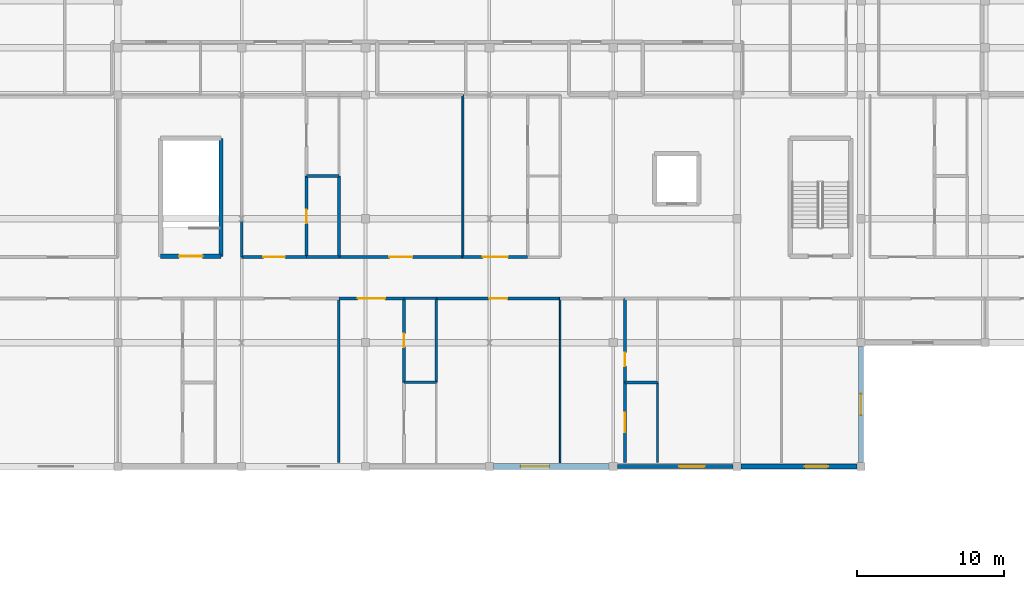
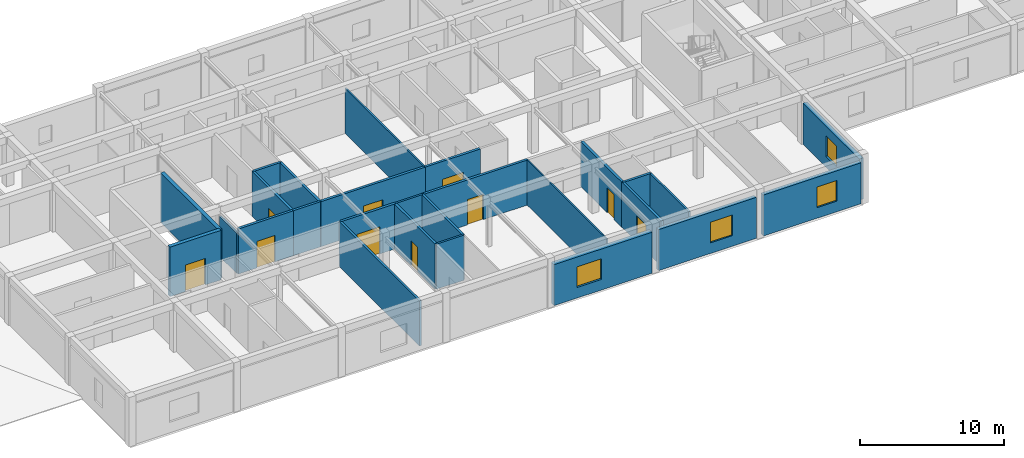
# One storey, part 19 of 42: 27 walls, 10 doors, 4 windows, 14 openings.
"""IFC4 building model written with IfcOpenShell, lengths in metres."""

from ifc_helpers import new_model, si_unit, direction, frame, frame_2d, origin, place, context, subcontext, project, spatial, rectangle, extrude, material, layer, layer_set, type_object, element, fill, save


model = new_model("IFC4")

# Units and contexts
model_context = context("Model", 3, precision=1e-05, world=origin(), true_north=direction((0.0, 1.0)))
body_context = subcontext(model_context, "Body", "Model", "MODEL_VIEW")
ifc_project = project(units=[si_unit("LENGTHUNIT", "METRE"), si_unit("AREAUNIT", "SQUARE_METRE"), si_unit("VOLUMEUNIT", "CUBIC_METRE"), si_unit("PLANEANGLEUNIT", "RADIAN"), si_unit("MASSUNIT", "GRAM", prefix="KILO")], contexts=[model_context])

# Site, building, storey
site_placement = place(None, origin())
site = spatial("IfcSite", under=ifc_project, at=site_placement, CompositionType="ELEMENT")
building_placement = place(site_placement, origin())
building = spatial("IfcBuilding", under=site, at=building_placement, Name="Varncliffe General Hospital", CompositionType="ELEMENT")
storey_placement = place(building_placement, frame((0.0, 0.0, 20.39990234375)))
storey = spatial("IfcBuildingStorey", under=building, at=storey_placement, Name="L04", CompositionType="ELEMENT", Elevation=20.39990234375)

# Wall, opening, window
ifc_material_1 = material(Name="Precast concrete C40/50 with insulated cream lime-cement stucco", Category="concrete")
ifc_layer_1 = layer(ifc_material_1, 0.31005859375)
ifc_layer_set_1 = layer_set([ifc_layer_1], Name="Precast concrete C40/50 with insulated cream lime-cement stucco")
wall_type_1 = type_object("IfcWallType", Name="Exterior Insulated Stucco Wall EW20 (310mm)", PredefinedType="SOLIDWALL", material=ifc_layer_set_1)
wall_1_placement = place(storey_placement, frame((117.326904296875, 74.39990234375, 0.0), z_axis=(0.0, 0.0, 1.0), x_axis=(-1.0, 0.0, 0.0)))
wall_1 = element("IfcWall", 1, at=wall_1_placement, inside=storey, type_object=wall_type_1, Name="L04 Exterior Stucco Wall EW20-321", PredefinedType="SOLIDWALL", context=body_context, shape_type="SweptSolid", body=[
    extrude(rectangle(XDim=7.85400390625, YDim=0.31005859375, at=frame_2d((3.927001953125, 0.0))), origin(), (0.0, 0.0, 1.0), 3.47998046875),
])
opening_1_placement = place(wall_1_placement, frame((1.94921875, 0.0, 0.89990234375)))
opening_1 = element("IfcOpeningElement", 2, at=opening_1_placement, cuts=wall_1, Name="Opening WN87", PredefinedType="OPENING", context=body_context, shape_type="SweptSolid", body=[
    extrude(rectangle(XDim=1.60009765625, YDim=1.75, at=frame_2d((0.800048828125, 0.875))), frame((0.0, 0.1650390625, 0.0), z_axis=(0.0, -1.0, 0.0), x_axis=(1.0, 0.0, 0.0)), (0.0, 0.0, 1.0), 0.330078125),
])
ifc_material_2 = material(Name="Triple low-E argon insulated vision glazing", Category="glass")
window_type_1 = type_object("IfcWindowType", Name="Triple-Glazed Hospital Window WN87 (1600x1750)", PartitioningType="DOUBLE_PANEL_VERTICAL", PredefinedType="WINDOW", material=ifc_material_2)
window_1_placement = place(opening_1_placement, origin())
window_1 = element("IfcWindow", 3, at=window_1_placement, inside=storey, type_object=window_type_1, Name="L04 Hospital Window WN87-239", OverallHeight=1.75, OverallWidth=1.60009765625, PartitioningType="DOUBLE_PANEL_VERTICAL", PredefinedType="WINDOW", context=body_context, shape_type="SweptSolid", body=[
    extrude(rectangle(XDim=1.60009765625, YDim=1.75, at=frame_2d((0.800048828125, 0.875))), frame((0.0, 0.030029296875, 0.0), z_axis=(0.0, -1.0, 0.0), x_axis=(1.0, 0.0, 0.0)), (0.0, 0.0, 1.0), 0.06005859375),
])
fill(opening_1, window_1)

ifc_layer_2 = layer(ifc_material_1, 0.3798828125)
ifc_layer_set_2 = layer_set([ifc_layer_2], Name="Precast concrete C40/50 with insulated cream lime-cement stucco")
wall_type_2 = type_object("IfcWallType", Name="Exterior Insulated Stucco Wall EW26 (380mm)", PredefinedType="SOLIDWALL", material=ifc_layer_set_2)
wall_2_placement = place(storey_placement, frame((100.527099609375, 74.39990234375, 0.0), z_axis=(0.0, 0.0, 1.0), x_axis=(-1.0, 0.0, 0.0)))
wall_2 = element("IfcWall", 4, at=wall_2_placement, inside=storey, type_object=wall_type_2, Name="L04 Exterior Stucco Wall EW26-323", PredefinedType="SOLIDWALL", context=body_context, shape_type="SweptSolid", body=[
    extrude(rectangle(XDim=7.85400390625, YDim=0.3798828125, at=frame_2d((3.927001953125, 0.0))), origin(), (0.0, 0.0, 1.0), 3.47998046875),
])
opening_2_placement = place(wall_2_placement, frame((4.052978515625, 0.0, 0.89990234375)))
opening_2 = element("IfcOpeningElement", 5, at=opening_2_placement, cuts=wall_2, Name="Opening WN71", PredefinedType="OPENING", context=body_context, shape_type="SweptSolid", body=[
    extrude(rectangle(XDim=1.949951171875, YDim=1.75, at=frame_2d((0.97509765625, 0.875))), frame((0.0, 0.199951171875, 0.0), z_axis=(0.0, -1.0, 0.0), x_axis=(1.0, 0.0, 0.0)), (0.0, 0.0, 1.0), 0.39990234375),
])
window_type_2 = type_object("IfcWindowType", Name="Triple-Glazed Hospital Window WN71 (1950x1750)", PartitioningType="DOUBLE_PANEL_VERTICAL", PredefinedType="WINDOW", material=ifc_material_2)
window_2_placement = place(opening_2_placement, origin())
window_2 = element("IfcWindow", 6, at=window_2_placement, inside=storey, type_object=window_type_2, Name="L04 Hospital Window WN71-241", OverallHeight=1.75, OverallWidth=1.949951171875, PartitioningType="DOUBLE_PANEL_VERTICAL", PredefinedType="WINDOW", context=body_context, shape_type="SweptSolid", body=[
    extrude(rectangle(XDim=1.949951171875, YDim=1.75, at=frame_2d((0.97509765625, 0.875))), frame((0.0, 0.030029296875, 0.0), z_axis=(0.0, -1.0, 0.0), x_axis=(1.0, 0.0, 0.0)), (0.0, 0.0, 1.0), 0.06005859375),
])
fill(opening_2, window_2)

ifc_layer_3 = layer(ifc_material_1, 0.2900390625)
ifc_layer_set_3 = layer_set([ifc_layer_3], Name="Precast concrete C40/50 with insulated cream lime-cement stucco")
wall_type_3 = type_object("IfcWallType", Name="Exterior Insulated Stucco Wall EW31 (290mm)", PredefinedType="SOLIDWALL", material=ifc_layer_set_3)
wall_3_placement = place(storey_placement, frame((108.927001953125, 74.39990234375, 0.0), z_axis=(0.0, 0.0, 1.0), x_axis=(-1.0, 0.0, 0.0)))
wall_3 = element("IfcWall", 7, at=wall_3_placement, inside=storey, type_object=wall_type_3, Name="L04 Exterior Stucco Wall EW31-322", PredefinedType="SOLIDWALL", context=body_context, shape_type="SweptSolid", body=[
    extrude(rectangle(XDim=7.85400390625, YDim=0.2900390625, at=frame_2d((3.927001953125, 0.0))), origin(), (0.0, 0.0, 1.0), 3.47998046875),
])
opening_3_placement = place(wall_3_placement, frame((1.906982421875, 0.0, 0.89990234375)))
opening_3 = element("IfcOpeningElement", 8, at=opening_3_placement, cuts=wall_3, Name="Opening WN82", PredefinedType="OPENING", context=body_context, shape_type="SweptSolid", body=[
    extrude(rectangle(XDim=1.75, YDim=1.75, at=frame_2d((0.875, 0.875))), frame((0.0, 0.155029296875, 0.0), z_axis=(0.0, -1.0, 0.0), x_axis=(1.0, 0.0, 0.0)), (0.0, 0.0, 1.0), 0.31005859375),
])
window_type_3 = type_object("IfcWindowType", Name="Triple-Glazed Hospital Window WN82 (1750x1750)", PartitioningType="DOUBLE_PANEL_VERTICAL", PredefinedType="WINDOW", material=ifc_material_2)
window_3_placement = place(opening_3_placement, origin())
window_3 = element("IfcWindow", 9, at=window_3_placement, inside=storey, type_object=window_type_3, Name="L04 Hospital Window WN82-240", OverallHeight=1.75, OverallWidth=1.75, PartitioningType="DOUBLE_PANEL_VERTICAL", PredefinedType="WINDOW", context=body_context, shape_type="SweptSolid", body=[
    extrude(rectangle(XDim=1.75, YDim=1.75, at=frame_2d((0.875, 0.875))), frame((0.0, 0.030029296875, 0.0), z_axis=(0.0, -1.0, 0.0), x_axis=(1.0, 0.0, 0.0)), (0.0, 0.0, 1.0), 0.06005859375),
])
fill(opening_3, window_3)

ifc_layer_4 = layer(ifc_material_1, 0.330078125)
ifc_layer_set_4 = layer_set([ifc_layer_4], Name="Precast concrete C40/50 with insulated cream lime-cement stucco")
wall_type_4 = type_object("IfcWallType", Name="Exterior Insulated Stucco Wall EW33 (330mm)", PredefinedType="SOLIDWALL", material=ifc_layer_set_4)
wall_4_placement = place(storey_placement, frame((117.60009765625, 82.527099609375, 0.0), z_axis=(0.0, 0.0, 1.0), x_axis=(0.0, -1.0, 0.0)))
wall_4 = element("IfcWall", 10, at=wall_4_placement, inside=storey, type_object=wall_type_4, Name="L04 Exterior Stucco Wall EW33-320", PredefinedType="SOLIDWALL", context=body_context, shape_type="SweptSolid", body=[
    extrude(rectangle(XDim=7.85400390625, YDim=0.330078125, at=frame_2d((3.927001953125, 0.0))), origin(), (0.0, 0.0, 1.0), 3.47998046875),
])
opening_4_placement = place(wall_4_placement, frame((3.201904296875, 0.0, 0.89990234375)))
opening_4 = element("IfcOpeningElement", 11, at=opening_4_placement, cuts=wall_4, Name="Opening WN88", PredefinedType="OPENING", context=body_context, shape_type="SweptSolid", body=[
    extrude(rectangle(XDim=1.449951171875, YDim=1.75, at=frame_2d((0.72509765625, 0.875))), frame((0.0, 0.175048828125, 0.0), z_axis=(0.0, -1.0, 0.0), x_axis=(1.0, 0.0, 0.0)), (0.0, 0.0, 1.0), 0.35009765625),
])
window_type_4 = type_object("IfcWindowType", Name="Triple-Glazed Hospital Window WN88 (1450x1750)", PartitioningType="SINGLE_PANEL", PredefinedType="WINDOW", material=ifc_material_2)
window_4_placement = place(opening_4_placement, origin())
window_4 = element("IfcWindow", 12, at=window_4_placement, inside=storey, type_object=window_type_4, Name="L04 Hospital Window WN88-238", OverallHeight=1.75, OverallWidth=1.449951171875, PartitioningType="SINGLE_PANEL", PredefinedType="WINDOW", context=body_context, shape_type="SweptSolid", body=[
    extrude(rectangle(XDim=1.449951171875, YDim=1.75, at=frame_2d((0.72509765625, 0.875))), frame((0.0, 0.030029296875, 0.0), z_axis=(0.0, -1.0, 0.0), x_axis=(1.0, 0.0, 0.0)), (0.0, 0.0, 1.0), 0.06005859375),
])
fill(opening_4, window_4)

# Walls
ifc_material_3 = material(Name="Acoustic clinical gypsum stud partition assembly", Category="gypsum")
ifc_layer_5 = layer(ifc_material_3, 0.1298828125)
ifc_layer_set_5 = layer_set([ifc_layer_5], Name="Acoustic clinical gypsum stud partition assembly")
wall_type_5 = type_object("IfcWallType", Name="Interior Partitioning IW11 (130mm)", PredefinedType="PARTITIONING", material=ifc_layer_set_5)
wall_5_placement = place(storey_placement, frame((90.60009765625, 88.60009765625, 0.0), z_axis=(0.0, 0.0, 1.0), x_axis=(0.0, 1.0, 0.0)))
element("IfcWall", 13, at=wall_5_placement, inside=storey, type_object=wall_type_5, Name="L04 Interior Partition Wall IW11-1903", PredefinedType="PARTITIONING", context=body_context, shape_type="SweptSolid", body=[
    extrude(rectangle(XDim=11.0, YDim=0.1298828125, at=frame_2d((5.5, 0.0))), origin(), (0.0, 0.0, 1.0), 3.820068359375),
])
ifc_layer_6 = layer(ifc_material_3, 0.169921875)
ifc_layer_set_6 = layer_set([ifc_layer_6], Name="Acoustic clinical gypsum stud partition assembly")
wall_type_6 = type_object("IfcWallType", Name="Interior Partitioning IW20 (170mm)", PredefinedType="PARTITIONING", material=ifc_layer_set_6)
wall_6_placement = place(storey_placement, frame((75.60009765625, 88.60009765625, 0.0), z_axis=(0.0, 0.0, 1.0), x_axis=(0.0, 1.0, 0.0)))
element("IfcWall", 14, at=wall_6_placement, inside=storey, type_object=wall_type_6, Name="L04 Interior Partition Wall IW20-1891", PredefinedType="PARTITIONING", context=body_context, shape_type="SweptSolid", body=[
    extrude(rectangle(XDim=2.430908203125, YDim=0.169921875, at=frame_2d((1.21533203125, 0.0))), origin(), (0.0, 0.0, 1.0), 3.412109375),
])
wall_7_placement = place(storey_placement, frame((82.199951171875, 74.659912109375, 0.0), z_axis=(0.0, 0.0, 1.0), x_axis=(0.0, 1.0, 0.0)))
element("IfcWall", 15, at=wall_7_placement, inside=storey, type_object=wall_type_6, Name="L04 Interior Partition Wall IW20-1895", PredefinedType="PARTITIONING", context=body_context, shape_type="SweptSolid", body=[
    extrude(rectangle(XDim=11.14013671875, YDim=0.169921875, at=frame_2d((5.570068359375, 0.0))), origin(), (0.0, 0.0, 1.0), 3.820068359375),
])
ifc_layer_7 = layer(ifc_material_3, 0.14990234375)
ifc_layer_set_7 = layer_set([ifc_layer_7], Name="Acoustic clinical gypsum stud partition assembly")
wall_type_7 = type_object("IfcWallType", Name="Interior Partitioning IW35 (150mm)", PredefinedType="PARTITIONING", material=ifc_layer_set_7)
wall_8_placement = place(storey_placement, frame((103.800048828125, 74.659912109375, 0.0), z_axis=(0.0, 0.0, 1.0), x_axis=(0.0, 1.0, 0.0)))
element("IfcWall", 16, at=wall_8_placement, inside=storey, type_object=wall_type_7, Name="L04 Interior Partition Wall IW35-1914", PredefinedType="PARTITIONING", context=body_context, shape_type="SweptSolid", body=[
    extrude(rectangle(XDim=5.440185546875, YDim=0.14990234375, at=frame_2d((2.72021484375, 0.0))), origin(), (0.0, 0.0, 1.0), 3.820068359375),
])
ifc_layer_8 = layer(ifc_material_3, 0.110107421875)
ifc_layer_set_8 = layer_set([ifc_layer_8], Name="Acoustic clinical gypsum stud partition assembly")
wall_type_8 = type_object("IfcWallType", Name="Interior Partitioning IW65 (110mm)", PredefinedType="PARTITIONING", material=ifc_layer_set_8)
wall_9_placement = place(storey_placement, frame((97.199951171875, 74.659912109375, 0.0), z_axis=(0.0, 0.0, 1.0), x_axis=(0.0, 1.0, 0.0)))
element("IfcWall", 17, at=wall_9_placement, inside=storey, type_object=wall_type_8, Name="L04 Interior Partition Wall IW65-1907", PredefinedType="PARTITIONING", context=body_context, shape_type="SweptSolid", body=[
    extrude(rectangle(XDim=11.14013671875, YDim=0.110107421875, at=frame_2d((5.570068359375, 0.0))), origin(), (0.0, 0.0, 1.0), 3.820068359375),
])

# Wall, opening, door
ifc_material_4 = material(Name="Fire-rated gypsum and mineral-wool partition assembly", Category="gypsum")
ifc_layer_9 = layer(ifc_material_4, 0.199951171875)
ifc_layer_set_9 = layer_set([ifc_layer_9], Name="Fire-rated gypsum and mineral-wool partition assembly")
wall_type_9 = type_object("IfcWallType", Name="Interior Partitioning PW63 (200mm)", PredefinedType="PARTITIONING", material=ifc_layer_set_9)
wall_10_placement = place(storey_placement, frame((82.199951171875, 85.800048828125, 0.0), z_axis=(0.0, 0.0, 1.0), x_axis=(1.0, 0.0, 0.0)))
wall_10 = element("IfcWall", 18, at=wall_10_placement, inside=storey, type_object=wall_type_9, Name="L04 Interior Partition Wall PW63-1702", PredefinedType="PARTITIONING", context=body_context, shape_type="SweptSolid", body=[
    extrude(rectangle(XDim=4.400146484375, YDim=0.199951171875, at=frame_2d((2.2001953125, 0.0))), origin(), (0.0, 0.0, 1.0), 3.820068359375),
])
opening_5_placement = place(wall_10_placement, frame((1.27490234375, 0.0, 0.0)))
opening_5 = element("IfcOpeningElement", 19, at=opening_5_placement, cuts=wall_10, Name="Opening DC38", PredefinedType="OPENING", context=body_context, shape_type="SweptSolid", body=[
    extrude(rectangle(XDim=1.85009765625, YDim=2.300048828125, at=frame_2d((0.925048828125, 1.14990234375))), frame((0.0, 0.10986328125, 0.0), z_axis=(0.0, -1.0, 0.0), x_axis=(1.0, 0.0, 0.0)), (0.0, 0.0, 1.0), 0.219970703125),
])
ifc_material_5 = material(Name="Fire-rated hospital steel-frame vision-panel door", Category="steel")
door_type_1 = type_object("IfcDoorType", Name="Interior Hospital Door DC38 (1850x2300)", OperationType="NOTDEFINED", PredefinedType="DOOR", material=ifc_material_5)
door_1_placement = place(opening_5_placement, frame((1.85009765625, 0.0, 0.0), z_axis=(0.0, 0.0, 1.0), x_axis=(-1.0, 0.0, 0.0)))
door_1 = element("IfcDoor", 20, at=door_1_placement, inside=storey, type_object=door_type_1, Name="L04 Interventional Short-Stay Recovery Room 34 Door", OperationType="SINGLE_SWING_LEFT", OverallHeight=2.300048828125, OverallWidth=1.85009765625, PredefinedType="DOOR", context=body_context, shape_type="SweptSolid", body=[
    extrude(rectangle(XDim=1.85009765625, YDim=2.300048828125, at=frame_2d((0.925048828125, 1.14990234375))), frame((0.0, 0.02490234375, 0.0), z_axis=(0.0, -1.0, 0.0), x_axis=(1.0, 0.0, 0.0)), (0.0, 0.0, 1.0), 0.050048828125),
])
fill(opening_5, door_1)

wall_11_placement = place(storey_placement, frame((88.800048828125, 85.800048828125, 0.0), z_axis=(0.0, 0.0, 1.0), x_axis=(1.0, 0.0, 0.0)))
wall_11 = element("IfcWall", 21, at=wall_11_placement, inside=storey, type_object=wall_type_9, Name="L04 Interior Partition Wall PW63-1704", PredefinedType="PARTITIONING", context=body_context, shape_type="SweptSolid", body=[
    extrude(rectangle(XDim=8.39990234375, YDim=0.199951171875, at=frame_2d((4.199951171875, 0.0))), origin(), (0.0, 0.0, 1.0), 3.820068359375),
])
opening_6_placement = place(wall_11_placement, frame((3.574951171875, 0.0, 0.0)))
opening_6 = element("IfcOpeningElement", 22, at=opening_6_placement, cuts=wall_11, Name="Opening DC44", PredefinedType="OPENING", context=body_context, shape_type="SweptSolid", body=[
    extrude(rectangle(XDim=1.25, YDim=2.14990234375, at=frame_2d((0.625, 1.074951171875))), frame((0.0, 0.10986328125, 0.0), z_axis=(0.0, -1.0, 0.0), x_axis=(1.0, 0.0, 0.0)), (0.0, 0.0, 1.0), 0.219970703125),
])
door_type_2 = type_object("IfcDoorType", Name="Interior Hospital Door DC44 (1250x2150)", OperationType="NOTDEFINED", PredefinedType="DOOR", material=ifc_material_5)
door_2_placement = place(opening_6_placement, frame((1.25, 0.0, 0.0), z_axis=(0.0, 0.0, 1.0), x_axis=(-1.0, 0.0, 0.0)))
door_2 = element("IfcDoor", 23, at=door_2_placement, inside=storey, type_object=door_type_2, Name="L04 Perinatal Caesarean Surgical Theatre 37 Door", OperationType="SINGLE_SWING_RIGHT", OverallHeight=2.14990234375, OverallWidth=1.25, PredefinedType="DOOR", context=body_context, shape_type="SweptSolid", body=[
    extrude(rectangle(XDim=1.25, YDim=2.14990234375, at=frame_2d((0.625, 1.074951171875))), frame((0.0, 0.02490234375, 0.0), z_axis=(0.0, -1.0, 0.0), x_axis=(1.0, 0.0, 0.0)), (0.0, 0.0, 1.0), 0.050048828125),
])
fill(opening_6, door_2)

wall_12_placement = place(storey_placement, frame((75.60009765625, 88.60009765625, 0.0), z_axis=(0.0, 0.0, 1.0), x_axis=(1.0, 0.0, 0.0)))
wall_12 = element("IfcWall", 24, at=wall_12_placement, inside=storey, type_object=wall_type_9, Name="L04 Interior Partition Wall PW63-1715", PredefinedType="PARTITIONING", context=body_context, shape_type="SweptSolid", body=[
    extrude(rectangle(XDim=4.39990234375, YDim=0.199951171875, at=frame_2d((2.199951171875, 0.0))), origin(), (0.0, 0.0, 1.0), 3.820068359375),
])
opening_7_placement = place(wall_12_placement, frame((1.47509765625, 0.0, 0.0)))
opening_7 = element("IfcOpeningElement", 25, at=opening_7_placement, cuts=wall_12, Name="Opening DC66", PredefinedType="OPENING", context=body_context, shape_type="SweptSolid", body=[
    extrude(rectangle(XDim=1.449951171875, YDim=2.25, at=frame_2d((0.72509765625, 1.125))), frame((0.0, 0.10986328125, 0.0), z_axis=(0.0, -1.0, 0.0), x_axis=(1.0, 0.0, 0.0)), (0.0, 0.0, 1.0), 0.219970703125),
])
door_type_3 = type_object("IfcDoorType", Name="Interior Hospital Door DC66 (1450x2250)", OperationType="NOTDEFINED", PredefinedType="DOOR", material=ifc_material_5)
door_3_placement = place(opening_7_placement, origin())
door_3 = element("IfcDoor", 26, at=door_3_placement, inside=storey, type_object=door_type_3, Name="L04 Interventional Short-Stay Recovery Room 49 Door", OperationType="SINGLE_SWING_RIGHT", OverallHeight=2.25, OverallWidth=1.449951171875, PredefinedType="DOOR", context=body_context, shape_type="SweptSolid", body=[
    extrude(rectangle(XDim=1.449951171875, YDim=2.25, at=frame_2d((0.72509765625, 1.125))), frame((0.0, 0.02490234375, 0.0), z_axis=(0.0, -1.0, 0.0), x_axis=(1.0, 0.0, 0.0)), (0.0, 0.0, 1.0), 0.050048828125),
])
fill(opening_7, door_3)

wall_13_placement = place(storey_placement, frame((82.199951171875, 88.60009765625, 0.0), z_axis=(0.0, 0.0, 1.0), x_axis=(1.0, 0.0, 0.0)))
wall_13 = element("IfcWall", 27, at=wall_13_placement, inside=storey, type_object=wall_type_9, Name="L04 Interior Partition Wall PW63-1717", PredefinedType="PARTITIONING", context=body_context, shape_type="SweptSolid", body=[
    extrude(rectangle(XDim=8.400146484375, YDim=0.199951171875, at=frame_2d((4.2001953125, 0.0))), origin(), (0.0, 0.0, 1.0), 3.820068359375),
])
opening_8_placement = place(wall_13_placement, frame((3.425048828125, 0.0, 0.0)))
opening_8 = element("IfcOpeningElement", 28, at=opening_8_placement, cuts=wall_13, Name="Opening DC67", PredefinedType="OPENING", context=body_context, shape_type="SweptSolid", body=[
    extrude(rectangle(XDim=1.550048828125, YDim=2.25, at=frame_2d((0.77490234375, 1.125))), frame((0.0, 0.10986328125, 0.0), z_axis=(0.0, -1.0, 0.0), x_axis=(1.0, 0.0, 0.0)), (0.0, 0.0, 1.0), 0.219970703125),
])
door_type_4 = type_object("IfcDoorType", Name="Interior Hospital Door DC67 (1550x2250)", OperationType="NOTDEFINED", PredefinedType="DOOR", material=ifc_material_5)
door_4_placement = place(opening_8_placement, origin())
door_4 = element("IfcDoor", 29, at=door_4_placement, inside=storey, type_object=door_type_4, Name="L04 Perinatal Caesarean Surgical Theatre 52 Door", OperationType="SINGLE_SWING_LEFT", OverallHeight=2.25, OverallWidth=1.550048828125, PredefinedType="DOOR", context=body_context, shape_type="SweptSolid", body=[
    extrude(rectangle(XDim=1.550048828125, YDim=2.25, at=frame_2d((0.77490234375, 1.125))), frame((0.0, 0.02490234375, 0.0), z_axis=(0.0, -1.0, 0.0), x_axis=(1.0, 0.0, 0.0)), (0.0, 0.0, 1.0), 0.050048828125),
])
fill(opening_8, door_4)

wall_14_placement = place(storey_placement, frame((90.60009765625, 88.60009765625, 0.0), z_axis=(0.0, 0.0, 1.0), x_axis=(1.0, 0.0, 0.0)))
wall_14 = element("IfcWall", 30, at=wall_14_placement, inside=storey, type_object=wall_type_9, Name="L04 Interior Partition Wall PW63-1718", PredefinedType="PARTITIONING", context=body_context, shape_type="SweptSolid", body=[
    extrude(rectangle(XDim=4.39990234375, YDim=0.199951171875, at=frame_2d((2.199951171875, 0.0))), origin(), (0.0, 0.0, 1.0), 3.820068359375),
])
opening_9_placement = place(wall_14_placement, frame((1.35009765625, 0.0, 0.0)))
opening_9 = element("IfcOpeningElement", 31, at=opening_9_placement, cuts=wall_14, Name="Opening DC50", PredefinedType="OPENING", context=body_context, shape_type="SweptSolid", body=[
    extrude(rectangle(XDim=1.699951171875, YDim=2.300048828125, at=frame_2d((0.85009765625, 1.14990234375))), frame((0.0, 0.10986328125, 0.0), z_axis=(0.0, -1.0, 0.0), x_axis=(1.0, 0.0, 0.0)), (0.0, 0.0, 1.0), 0.219970703125),
])
door_type_5 = type_object("IfcDoorType", Name="Interior Hospital Door DC50 (1700x2300)", OperationType="NOTDEFINED", PredefinedType="DOOR", material=ifc_material_5)
door_5_placement = place(opening_9_placement, origin())
door_5 = element("IfcDoor", 32, at=door_5_placement, inside=storey, type_object=door_type_5, Name="L04 Interventional Short-Stay Recovery Room 53 Door", OperationType="SINGLE_SWING_RIGHT", OverallHeight=2.300048828125, OverallWidth=1.699951171875, PredefinedType="DOOR", context=body_context, shape_type="SweptSolid", body=[
    extrude(rectangle(XDim=1.699951171875, YDim=2.300048828125, at=frame_2d((0.85009765625, 1.14990234375))), frame((0.0, 0.02490234375, 0.0), z_axis=(0.0, -1.0, 0.0), x_axis=(1.0, 0.0, 0.0)), (0.0, 0.0, 1.0), 0.050048828125),
])
fill(opening_9, door_5)

wall_15_placement = place(storey_placement, frame((80.0, 88.60009765625, 0.0), z_axis=(0.0, 0.0, 1.0), x_axis=(0.0, 1.0, 0.0)))
wall_15 = element("IfcWall", 33, at=wall_15_placement, inside=storey, type_object=wall_type_9, Name="L04 Interior Partition Wall PW63-1893", PredefinedType="PARTITIONING", context=body_context, shape_type="SweptSolid", body=[
    extrude(rectangle(XDim=5.5, YDim=0.199951171875, at=frame_2d((2.75, 0.0))), origin(), (0.0, 0.0, 1.0), 3.820068359375),
])
opening_10_placement = place(wall_15_placement, frame((2.2900390625, 0.0, 0.0)))
opening_10 = element("IfcOpeningElement", 34, at=opening_10_placement, cuts=wall_15, Name="Opening DI70", PredefinedType="OPENING", context=body_context, shape_type="SweptSolid", body=[
    extrude(rectangle(XDim=0.919921875, YDim=2.10009765625, at=frame_2d((0.4599609375, 1.050048828125))), frame((0.0, 0.10986328125, 0.0), z_axis=(0.0, -1.0, 0.0), x_axis=(1.0, 0.0, 0.0)), (0.0, 0.0, 1.0), 0.219970703125),
])
ifc_material_6 = material(Name="Solid-core antimicrobial hospital oak veneer door", Category="wood")
door_type_6 = type_object("IfcDoorType", Name="Interior Hospital Door DI70 (920x2100)", OperationType="NOTDEFINED", PredefinedType="DOOR", material=ifc_material_6)
door_6_placement = place(opening_10_placement, frame((0.919921875, 0.0, 0.0), z_axis=(0.0, 0.0, 1.0), x_axis=(-1.0, 0.0, 0.0)))
door_6 = element("IfcDoor", 35, at=door_6_placement, inside=storey, type_object=door_type_6, Name="L04 En-Suite Bathroom 50 Door", OperationType="SINGLE_SWING_RIGHT", OverallHeight=2.10009765625, OverallWidth=0.919921875, PredefinedType="DOOR", context=body_context, shape_type="SweptSolid", body=[
    extrude(rectangle(XDim=0.919921875, YDim=2.10009765625, at=frame_2d((0.4599609375, 1.050048828125))), frame((0.0, 0.02490234375, 0.0), z_axis=(0.0, -1.0, 0.0), x_axis=(1.0, 0.0, 0.0)), (0.0, 0.0, 1.0), 0.050048828125),
])
fill(opening_10, door_6)

wall_16_placement = place(storey_placement, frame((86.60009765625, 80.10009765625, 0.0), z_axis=(0.0, 0.0, 1.0), x_axis=(0.0, 1.0, 0.0)))
wall_16 = element("IfcWall", 36, at=wall_16_placement, inside=storey, type_object=wall_type_9, Name="L04 Interior Partition Wall PW63-1900", PredefinedType="PARTITIONING", context=body_context, shape_type="SweptSolid", body=[
    extrude(rectangle(XDim=5.699951171875, YDim=0.199951171875, at=frame_2d((2.85009765625, 0.0))), origin(), (0.0, 0.0, 1.0), 3.820068359375),
])
opening_11_placement = place(wall_16_placement, frame((2.389892578125, 0.0, 0.0)))
opening_11 = element("IfcOpeningElement", 37, at=opening_11_placement, cuts=wall_16, Name="Opening DI70", PredefinedType="OPENING", context=body_context, shape_type="SweptSolid", body=[
    extrude(rectangle(XDim=0.919921875, YDim=2.10009765625, at=frame_2d((0.4599609375, 1.050048828125))), frame((0.0, 0.10986328125, 0.0), z_axis=(0.0, -1.0, 0.0), x_axis=(1.0, 0.0, 0.0)), (0.0, 0.0, 1.0), 0.219970703125),
])
door_7_placement = place(opening_11_placement, frame((0.919921875, 0.0, 0.0), z_axis=(0.0, 0.0, 1.0), x_axis=(-1.0, 0.0, 0.0)))
door_7 = element("IfcDoor", 38, at=door_7_placement, inside=storey, type_object=door_type_6, Name="L04 En-Suite Bathroom 35 Door", OperationType="SINGLE_SWING_LEFT", OverallHeight=2.10009765625, OverallWidth=0.919921875, PredefinedType="DOOR", context=body_context, shape_type="SweptSolid", body=[
    extrude(rectangle(XDim=0.919921875, YDim=2.10009765625, at=frame_2d((0.4599609375, 1.050048828125))), frame((0.0, 0.02490234375, 0.0), z_axis=(0.0, -1.0, 0.0), x_axis=(1.0, 0.0, 0.0)), (0.0, 0.0, 1.0), 0.050048828125),
])
fill(opening_11, door_7)

wall_17_placement = place(storey_placement, frame((101.60009765625, 74.659912109375, 0.0), z_axis=(0.0, 0.0, 1.0), x_axis=(0.0, 1.0, 0.0)))
wall_17 = element("IfcWall", 39, at=wall_17_placement, inside=storey, type_object=wall_type_9, Name="L04 Interior Partition Wall PW63-1911", PredefinedType="PARTITIONING", context=body_context, shape_type="SweptSolid", body=[
    extrude(rectangle(XDim=5.440185546875, YDim=0.199951171875, at=frame_2d((2.72021484375, 0.0))), origin(), (0.0, 0.0, 1.0), 3.820068359375),
])
opening_12_placement = place(wall_17_placement, frame((2.070068359375, 0.0, 0.0)))
opening_12 = element("IfcOpeningElement", 40, at=opening_12_placement, cuts=wall_17, Name="Opening DC88", PredefinedType="OPENING", context=body_context, shape_type="SweptSolid", body=[
    extrude(rectangle(XDim=1.300048828125, YDim=2.199951171875, at=frame_2d((0.64990234375, 1.10009765625))), frame((0.0, 0.10986328125, 0.0), z_axis=(0.0, -1.0, 0.0), x_axis=(1.0, 0.0, 0.0)), (0.0, 0.0, 1.0), 0.219970703125),
])
door_type_7 = type_object("IfcDoorType", Name="Interior Hospital Door DC88 (1300x2200)", OperationType="NOTDEFINED", PredefinedType="DOOR", material=ifc_material_5)
door_8_placement = place(opening_12_placement, frame((1.300048828125, 0.0, 0.0), z_axis=(0.0, 0.0, 1.0), x_axis=(-1.0, 0.0, 0.0)))
door_8 = element("IfcDoor", 41, at=door_8_placement, inside=storey, type_object=door_type_7, Name="L04 Patient Medication and Hygiene Bay 40 Door", OperationType="SINGLE_SWING_RIGHT", OverallHeight=2.199951171875, OverallWidth=1.300048828125, PredefinedType="DOOR", context=body_context, shape_type="SweptSolid", body=[
    extrude(rectangle(XDim=1.300048828125, YDim=2.199951171875, at=frame_2d((0.64990234375, 1.10009765625))), frame((0.0, 0.02490234375, 0.0), z_axis=(0.0, -1.0, 0.0), x_axis=(1.0, 0.0, 0.0)), (0.0, 0.0, 1.0), 0.050048828125),
])
fill(opening_12, door_8)

wall_18_placement = place(storey_placement, frame((101.60009765625, 80.10009765625, 0.0), z_axis=(0.0, 0.0, 1.0), x_axis=(0.0, 1.0, 0.0)))
wall_18 = element("IfcWall", 42, at=wall_18_placement, inside=storey, type_object=wall_type_9, Name="L04 Interior Partition Wall PW63-1912", PredefinedType="PARTITIONING", context=body_context, shape_type="SweptSolid", body=[
    extrude(rectangle(XDim=5.699951171875, YDim=0.199951171875, at=frame_2d((2.85009765625, 0.0))), origin(), (0.0, 0.0, 1.0), 3.820068359375),
])
opening_13_placement = place(wall_18_placement, frame((1.10009765625, 0.0, 0.0)))
opening_13 = element("IfcOpeningElement", 43, at=opening_13_placement, cuts=wall_18, Name="Opening DI70", PredefinedType="OPENING", context=body_context, shape_type="SweptSolid", body=[
    extrude(rectangle(XDim=0.919921875, YDim=2.10009765625, at=frame_2d((0.4599609375, 1.050048828125))), frame((0.0, 0.10986328125, 0.0), z_axis=(0.0, -1.0, 0.0), x_axis=(1.0, 0.0, 0.0)), (0.0, 0.0, 1.0), 0.219970703125),
])
door_9_placement = place(opening_13_placement, frame((0.919921875, 0.0, 0.0), z_axis=(0.0, 0.0, 1.0), x_axis=(-1.0, 0.0, 0.0)))
door_9 = element("IfcDoor", 44, at=door_9_placement, inside=storey, type_object=door_type_6, Name="L04 En-Suite Bathroom 39 Door", OperationType="SINGLE_SWING_LEFT", OverallHeight=2.10009765625, OverallWidth=0.919921875, PredefinedType="DOOR", context=body_context, shape_type="SweptSolid", body=[
    extrude(rectangle(XDim=0.919921875, YDim=2.10009765625, at=frame_2d((0.4599609375, 1.050048828125))), frame((0.0, 0.02490234375, 0.0), z_axis=(0.0, -1.0, 0.0), x_axis=(1.0, 0.0, 0.0)), (0.0, 0.0, 1.0), 0.050048828125),
])
fill(opening_13, door_9)

# Walls
ifc_material_7 = material(Name="Moisture-resistant plumbing chase wall assembly", Category="gypsum")
ifc_layer_10 = layer(ifc_material_7, 0.18994140625)
ifc_layer_set_10 = layer_set([ifc_layer_10], Name="Moisture-resistant plumbing chase wall assembly")
wall_type_10 = type_object("IfcWallType", Name="Interior Plumbingwall MW17 (190mm)", PredefinedType="PLUMBINGWALL", material=ifc_layer_set_10)
for number, where, z_axis, x_axis, name in (
    (45, (101.60009765625, 80.10009765625, 0.0), (0.0, 0.0, 1.0), (1.0, 0.0, 0.0), "L04 Interior Plumbing Wall MW17-1694"),
    (46, (80.0, 88.60009765625, 0.0), (0.0, 0.0, 1.0), (1.0, 0.0, 0.0), "L04 Interior Plumbing Wall MW17-1716"),
    (47, (80.0, 94.10009765625, 0.0), (0.0, 0.0, 1.0), (1.0, 0.0, 0.0), "L04 Interior Plumbing Wall MW17-1728"),
):
    element("IfcWall", number, at=place(storey_placement, frame(where, z_axis=z_axis, x_axis=x_axis)), inside=storey, type_object=wall_type_10, Name=name, PredefinedType="PLUMBINGWALL", context=body_context, shape_type="SweptSolid", body=[
        extrude(rectangle(XDim=2.199951171875, YDim=0.18994140625, at=frame_2d((1.10009765625, 0.0))), origin(), (0.0, 0.0, 1.0), 3.820068359375),
    ])
wall_19_placement = place(storey_placement, frame((82.199951171875, 88.60009765625, 0.0), z_axis=(0.0, 0.0, 1.0), x_axis=(0.0, 1.0, 0.0)))
element("IfcWall", 48, at=wall_19_placement, inside=storey, type_object=wall_type_10, Name="L04 Interior Plumbing Wall MW17-1896", PredefinedType="PLUMBINGWALL", context=body_context, shape_type="SweptSolid", body=[
    extrude(rectangle(XDim=5.5, YDim=0.18994140625, at=frame_2d((2.75, 0.0))), origin(), (0.0, 0.0, 1.0), 3.820068359375),
])
wall_20_placement = place(storey_placement, frame((88.800048828125, 80.10009765625, 0.0), z_axis=(0.0, 0.0, 1.0), x_axis=(0.0, 1.0, 0.0)))
element("IfcWall", 49, at=wall_20_placement, inside=storey, type_object=wall_type_10, Name="L04 Interior Plumbing Wall MW17-1902", PredefinedType="PLUMBINGWALL", context=body_context, shape_type="SweptSolid", body=[
    extrude(rectangle(XDim=5.699951171875, YDim=0.18994140625, at=frame_2d((2.85009765625, 0.0))), origin(), (0.0, 0.0, 1.0), 3.820068359375),
])
ifc_layer_11 = layer(ifc_material_7, 0.159912109375)
ifc_layer_set_11 = layer_set([ifc_layer_11], Name="Moisture-resistant plumbing chase wall assembly")
wall_type_11 = type_object("IfcWallType", Name="Interior Plumbingwall MW31 (160mm)", PredefinedType="PLUMBINGWALL", material=ifc_layer_set_11)
for number, where, z_axis, x_axis, name in (
    (50, (86.60009765625, 80.10009765625, 0.0), (0.0, 0.0, 1.0), (1.0, 0.0, 0.0), "L04 Interior Plumbing Wall MW31-1693"),
    (51, (86.60009765625, 85.800048828125, 0.0), (0.0, 0.0, 1.0), (1.0, 0.0, 0.0), "L04 Interior Plumbing Wall MW31-1703"),
):
    element("IfcWall", number, at=place(storey_placement, frame(where, z_axis=z_axis, x_axis=x_axis)), inside=storey, type_object=wall_type_11, Name=name, PredefinedType="PLUMBINGWALL", context=body_context, shape_type="SweptSolid", body=[
        extrude(rectangle(XDim=2.199951171875, YDim=0.159912109375, at=frame_2d((1.10009765625, 0.0))), origin(), (0.0, 0.0, 1.0), 3.820068359375),
    ])
ifc_material_8 = material(Name="Concrete C40/50 (CSA A23.1 40 MPa)", Category="concrete")
ifc_layer_12 = layer(ifc_material_8, 0.300048828125)
ifc_layer_set_12 = layer_set([ifc_layer_12], Name="Concrete C40/50 (CSA A23.1 40 MPa)")
wall_type_12 = type_object("IfcWallType", Name="Reinforced Concrete Core Shear Wall CW12 (300mm)", PredefinedType="SHEAR", material=ifc_layer_set_12)
wall_21_placement = place(storey_placement, frame((74.199951171875, 88.64990234375, 0.0), z_axis=(0.0, 0.0, 1.0), x_axis=(0.0, 1.0, 0.0)))
element("IfcWall", 52, at=wall_21_placement, inside=storey, type_object=wall_type_12, Name="L04 ST12 Core Shear Wall L", PredefinedType="SHEAR", context=body_context, shape_type="SweptSolid", body=[
    extrude(rectangle(XDim=8.0, YDim=0.300048828125, at=frame_2d((4.0, 0.0))), origin(), (0.0, 0.0, 1.0), 4.2001953125),
])

# Wall, opening, door
wall_22_placement = place(storey_placement, frame((70.10009765625, 88.64990234375, 0.0), z_axis=(0.0, 0.0, 1.0), x_axis=(1.0, 0.0, 0.0)))
wall_22 = element("IfcWall", 53, at=wall_22_placement, inside=storey, type_object=wall_type_12, Name="L04 ST12 Core Shear Wall N", PredefinedType="SHEAR", context=body_context, shape_type="SweptSolid", body=[
    extrude(rectangle(XDim=4.099853515625, YDim=0.300048828125, at=frame_2d((2.0498046875, 0.0))), origin(), (0.0, 0.0, 1.0), 4.2001953125),
])
opening_14_placement = place(wall_22_placement, frame((1.25, 0.0, 0.0)))
opening_14 = element("IfcOpeningElement", 54, at=opening_14_placement, cuts=wall_22, Name="Opening DF27", PredefinedType="OPENING", context=body_context, shape_type="SweptSolid", body=[
    extrude(rectangle(XDim=1.60009765625, YDim=2.25, at=frame_2d((0.800048828125, 1.125))), frame((0.0, 0.16015625, 0.0), z_axis=(0.0, -1.0, 0.0), x_axis=(1.0, 0.0, 0.0)), (0.0, 0.0, 1.0), 0.320068359375),
])
door_type_8 = type_object("IfcDoorType", Name="Interior Hospital Door DF27 (1600x2250)", OperationType="NOTDEFINED", PredefinedType="DOOR", material=ifc_material_5)
door_10_placement = place(opening_14_placement, frame((1.60009765625, 0.0, 0.0), z_axis=(0.0, 0.0, 1.0), x_axis=(-1.0, 0.0, 0.0)))
door_10 = element("IfcDoor", 55, at=door_10_placement, inside=storey, type_object=door_type_8, Name="L04 ST12 Protected Exit Stair Door", OperationType="SINGLE_SWING_LEFT", OverallHeight=2.25, OverallWidth=1.60009765625, PredefinedType="DOOR", context=body_context, shape_type="SweptSolid", body=[
    extrude(rectangle(XDim=1.60009765625, YDim=2.25, at=frame_2d((0.800048828125, 1.125))), frame((0.0, 0.02490234375, 0.0), z_axis=(0.0, -1.0, 0.0), x_axis=(1.0, 0.0, 0.0)), (0.0, 0.0, 1.0), 0.050048828125),
])
fill(opening_14, door_10)

save(model, "model.ifc")
